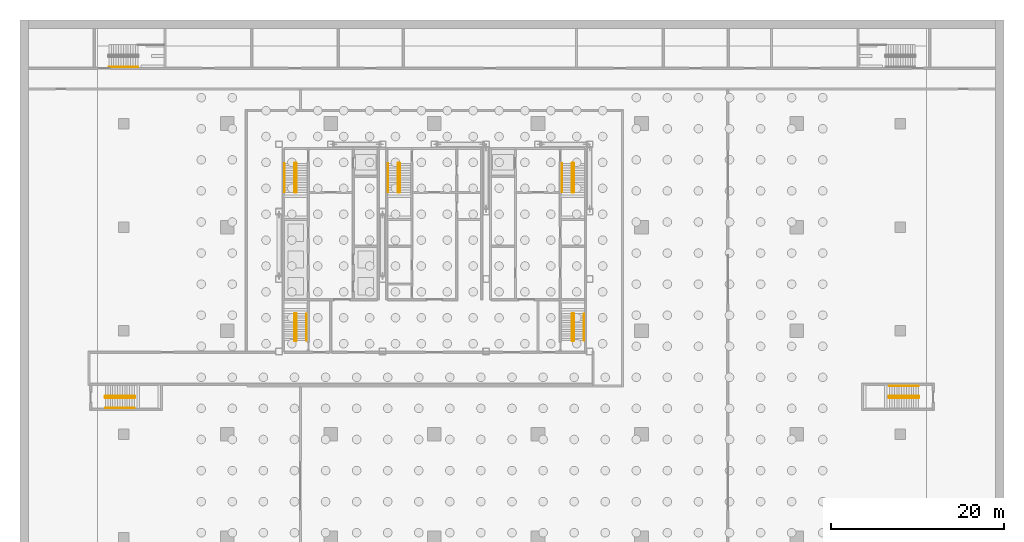
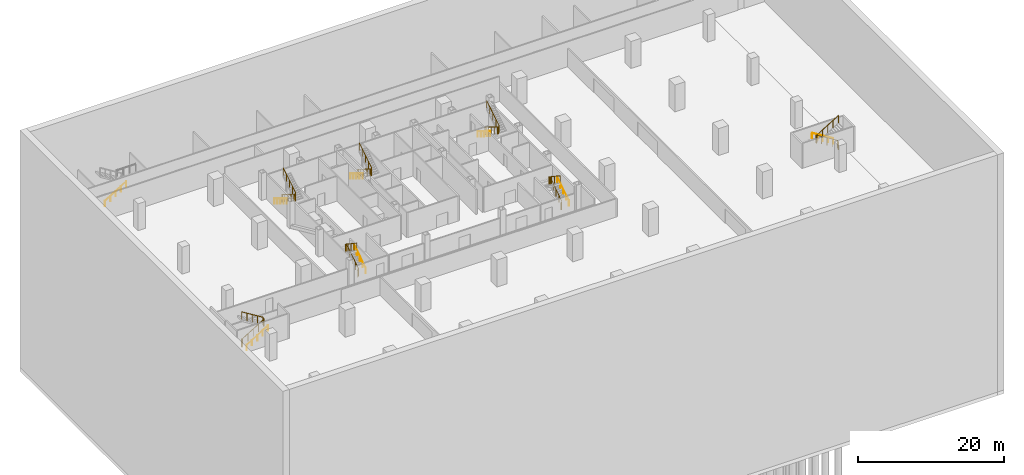
# One storey, part 16 of 18: 15 railings.
"""IFC4 building model written with IfcOpenShell, lengths in metres."""

from ifc_helpers import new_model, si_unit, direction, frame, origin, origin_2d, place, context, subcontext, project, spatial, circle, extrude, material, type_object, element, save


model = new_model("IFC4")

# Units and contexts
model_context = context("Model", 3, precision=1e-05, world=origin(), true_north=direction((0.0, 1.0)))
body_context = subcontext(model_context, "Body", "Model", "MODEL_VIEW")
ifc_project = project(units=[si_unit("LENGTHUNIT", "METRE"), si_unit("AREAUNIT", "SQUARE_METRE"), si_unit("VOLUMEUNIT", "CUBIC_METRE"), si_unit("PLANEANGLEUNIT", "RADIAN"), si_unit("MASSUNIT", "GRAM", prefix="KILO")], contexts=[model_context])

# Site, building, storey
site_placement = place(None, origin())
site = spatial("IfcSite", under=ifc_project, at=site_placement, CompositionType="ELEMENT")
building_placement = place(site_placement, origin())
building = spatial("IfcBuilding", under=site, at=building_placement, Name="Sorahane Residences", CompositionType="ELEMENT")
storey_placement = place(building_placement, frame((0.0, 0.0, -13.5)))
storey = spatial("IfcBuildingStorey", under=building, at=storey_placement, Name="B3", CompositionType="ELEMENT", Elevation=-13.5)

# Railings
ifc_material_1 = material(Name="Steel Q355B", Category="steel")
railing_type_1 = type_object("IfcRailingType", Name="Stair guard 1200 Steel Q355B", PredefinedType="GUARDRAIL", material=ifc_material_1)
railing_1_placement = place(storey_placement, frame((8.0, 43.449951171875, 0.0)))
element("IfcRailing", 1, at=railing_1_placement, inside=storey, type_object=railing_type_1, Name="B3 S1 stair guard 1", PredefinedType="GUARDRAIL", context=body_context, shape_type="SweptSolid", body=[
    extrude(circle(Radius=0.02392578125, at=origin_2d()), frame((0.0, 0.0, 1.17578125), z_axis=(-1.0, 0.0, 0.0), x_axis=(0.0, -1.0, 0.0)), (0.0, 0.0, 1.0), 0.14990234375),
    extrude(circle(Radius=0.02392578125, at=origin_2d()), frame((-0.14990234375, 0.0, 1.17578125), z_axis=(-0.267629722418, -0.267629722418, 0.925607186314), x_axis=(0.707106781187, -0.707106781187, 0.0)), (0.0, 0.0, 1.0), 0.18701171875),
    extrude(circle(Radius=0.02392578125, at=origin_2d()), frame((-0.199951171875, -0.050048828125, 1.34912109375), z_axis=(0.0, -0.850606129759, 0.525803396734), x_axis=(1.0, 0.0, 0.0)), (0.0, 0.0, 1.0), 3.949951171875),
    extrude(circle(Radius=0.02392578125, at=origin_2d()), frame((-0.199951171875, -3.409912109375, 3.42578125), z_axis=(0.707106781187, -0.707106781187, 0.0), x_axis=(0.707106781187, 0.707106781187, 0.0)), (0.0, 0.0, 1.0), 0.07080078125),
    extrude(circle(Radius=0.02392578125, at=origin_2d()), frame((-0.14990234375, -3.4599609375, 3.42578125), z_axis=(1.0, 0.0, 0.0), x_axis=(0.0, 1.0, 0.0)), (0.0, 0.0, 1.0), 0.14990234375),
    extrude(circle(Radius=0.02392578125, at=origin_2d()), frame((0.0, -3.4599609375, 3.42578125), z_axis=(0.267629722418, 0.267629722418, 0.925607186314), x_axis=(-0.707106781187, 0.707106781187, 0.0)), (0.0, 0.0, 1.0), 0.18701171875),
    extrude(circle(Radius=0.02392578125, at=origin_2d()), frame((0.050048828125, -3.409912109375, 3.59912109375), z_axis=(0.0, 0.850606129759, 0.525803396734), x_axis=(-1.0, 0.0, 0.0)), (0.0, 0.0, 1.0), 3.949951171875),
    extrude(circle(Radius=0.02099609375, at=origin_2d()), origin(), (0.0, 0.0, 1.0), 1.15185546875),
    extrude(circle(Radius=0.02099609375, at=origin_2d()), frame((-0.14990234375, 0.0, 0.0)), (0.0, 0.0, 1.0), 1.15185546875),
    extrude(circle(Radius=0.02099609375, at=origin_2d()), frame((-0.199951171875, -0.050048828125, 0.173095703125)), (0.0, 0.0, 1.0), 1.15185546875),
    extrude(circle(Radius=0.02099609375, at=origin_2d()), frame((-0.199951171875, -0.89013671875, 0.6923828125)), (0.0, 0.0, 1.0), 1.15185546875),
    extrude(circle(Radius=0.02099609375, at=origin_2d()), frame((-0.199951171875, -1.72998046875, 1.21142578125)), (0.0, 0.0, 1.0), 1.15185546875),
    extrude(circle(Radius=0.02099609375, at=origin_2d()), frame((-0.199951171875, -2.56982421875, 1.730712890625)), (0.0, 0.0, 1.0), 1.15185546875),
    extrude(circle(Radius=0.02099609375, at=origin_2d()), frame((-0.199951171875, -3.409912109375, 2.25)), (0.0, 0.0, 1.0), 1.15185546875),
    extrude(circle(Radius=0.02099609375, at=origin_2d()), frame((-0.14990234375, -3.4599609375, 2.25)), (0.0, 0.0, 1.0), 1.15185546875),
    extrude(circle(Radius=0.02099609375, at=origin_2d()), frame((0.0, -3.4599609375, 2.25)), (0.0, 0.0, 1.0), 1.15185546875),
    extrude(circle(Radius=0.02099609375, at=origin_2d()), frame((0.050048828125, -3.409912109375, 2.423095703125)), (0.0, 0.0, 1.0), 1.15185546875),
    extrude(circle(Radius=0.02099609375, at=origin_2d()), frame((0.050048828125, -2.56982421875, 2.9423828125)), (0.0, 0.0, 1.0), 1.15185546875),
    extrude(circle(Radius=0.02099609375, at=origin_2d()), frame((0.050048828125, -1.72998046875, 3.46142578125)), (0.0, 0.0, 1.0), 1.15185546875),
    extrude(circle(Radius=0.02099609375, at=origin_2d()), frame((0.050048828125, -0.89013671875, 3.980712890625)), (0.0, 0.0, 1.0), 1.15185546875),
    extrude(circle(Radius=0.02099609375, at=origin_2d()), frame((0.050048828125, -0.050048828125, 4.5)), (0.0, 0.0, 1.0), 1.15185546875),
])
railing_2_placement = place(storey_placement, frame((40.14990234375, 43.449951171875, 0.0)))
element("IfcRailing", 2, at=railing_2_placement, inside=storey, type_object=railing_type_1, Name="B3 S2 stair guard 1", PredefinedType="GUARDRAIL", context=body_context, shape_type="SweptSolid", body=[
    extrude(circle(Radius=0.02392578125, at=origin_2d()), frame((0.0, 0.0, 1.17578125), z_axis=(-1.0, 0.0, 0.0), x_axis=(0.0, -1.0, 0.0)), (0.0, 0.0, 1.0), 0.14990234375),
    extrude(circle(Radius=0.02392578125, at=origin_2d()), frame((-0.14990234375, 0.0, 1.17578125), z_axis=(-0.267629722418, -0.267629722418, 0.925607186314), x_axis=(0.707106781187, -0.707106781187, 0.0)), (0.0, 0.0, 1.0), 0.18701171875),
    extrude(circle(Radius=0.02392578125, at=origin_2d()), frame((-0.199951171875, -0.050048828125, 1.34912109375), z_axis=(0.0, -0.850606129759, 0.525803396734), x_axis=(1.0, 0.0, 0.0)), (0.0, 0.0, 1.0), 3.949951171875),
    extrude(circle(Radius=0.02392578125, at=origin_2d()), frame((-0.199951171875, -3.409912109375, 3.42578125), z_axis=(0.707106781187, -0.707106781187, 0.0), x_axis=(0.707106781187, 0.707106781187, 0.0)), (0.0, 0.0, 1.0), 0.07080078125),
    extrude(circle(Radius=0.02392578125, at=origin_2d()), frame((-0.14990234375, -3.4599609375, 3.42578125), z_axis=(1.0, 0.0, 0.0), x_axis=(0.0, 1.0, 0.0)), (0.0, 0.0, 1.0), 0.14990234375),
    extrude(circle(Radius=0.02392578125, at=origin_2d()), frame((0.0, -3.4599609375, 3.42578125), z_axis=(0.267629722418, 0.267629722418, 0.925607186314), x_axis=(-0.707106781187, 0.707106781187, 0.0)), (0.0, 0.0, 1.0), 0.18701171875),
    extrude(circle(Radius=0.02392578125, at=origin_2d()), frame((0.050048828125, -3.409912109375, 3.59912109375), z_axis=(0.0, 0.850606129759, 0.525803396734), x_axis=(-1.0, 0.0, 0.0)), (0.0, 0.0, 1.0), 3.949951171875),
    extrude(circle(Radius=0.02099609375, at=origin_2d()), origin(), (0.0, 0.0, 1.0), 1.15185546875),
    extrude(circle(Radius=0.02099609375, at=origin_2d()), frame((-0.14990234375, 0.0, 0.0)), (0.0, 0.0, 1.0), 1.15185546875),
    extrude(circle(Radius=0.02099609375, at=origin_2d()), frame((-0.199951171875, -0.050048828125, 0.173095703125)), (0.0, 0.0, 1.0), 1.15185546875),
    extrude(circle(Radius=0.02099609375, at=origin_2d()), frame((-0.199951171875, -0.89013671875, 0.6923828125)), (0.0, 0.0, 1.0), 1.15185546875),
    extrude(circle(Radius=0.02099609375, at=origin_2d()), frame((-0.199951171875, -1.72998046875, 1.21142578125)), (0.0, 0.0, 1.0), 1.15185546875),
    extrude(circle(Radius=0.02099609375, at=origin_2d()), frame((-0.199951171875, -2.56982421875, 1.730712890625)), (0.0, 0.0, 1.0), 1.15185546875),
    extrude(circle(Radius=0.02099609375, at=origin_2d()), frame((-0.199951171875, -3.409912109375, 2.25)), (0.0, 0.0, 1.0), 1.15185546875),
    extrude(circle(Radius=0.02099609375, at=origin_2d()), frame((-0.14990234375, -3.4599609375, 2.25)), (0.0, 0.0, 1.0), 1.15185546875),
    extrude(circle(Radius=0.02099609375, at=origin_2d()), frame((0.0, -3.4599609375, 2.25)), (0.0, 0.0, 1.0), 1.15185546875),
    extrude(circle(Radius=0.02099609375, at=origin_2d()), frame((0.050048828125, -3.409912109375, 2.423095703125)), (0.0, 0.0, 1.0), 1.15185546875),
    extrude(circle(Radius=0.02099609375, at=origin_2d()), frame((0.050048828125, -2.56982421875, 2.9423828125)), (0.0, 0.0, 1.0), 1.15185546875),
    extrude(circle(Radius=0.02099609375, at=origin_2d()), frame((0.050048828125, -1.72998046875, 3.46142578125)), (0.0, 0.0, 1.0), 1.15185546875),
    extrude(circle(Radius=0.02099609375, at=origin_2d()), frame((0.050048828125, -0.89013671875, 3.980712890625)), (0.0, 0.0, 1.0), 1.15185546875),
    extrude(circle(Radius=0.02099609375, at=origin_2d()), frame((0.050048828125, -0.050048828125, 4.5)), (0.0, 0.0, 1.0), 1.15185546875),
])
railing_3_placement = place(storey_placement, frame((20.0, 43.449951171875, 0.0)))
element("IfcRailing", 3, at=railing_3_placement, inside=storey, type_object=railing_type_1, Name="B3 S3 stair guard 1", PredefinedType="GUARDRAIL", context=body_context, shape_type="SweptSolid", body=[
    extrude(circle(Radius=0.02392578125, at=origin_2d()), frame((0.0, 0.0, 1.17578125), z_axis=(-1.0, 0.0, 0.0), x_axis=(0.0, -1.0, 0.0)), (0.0, 0.0, 1.0), 0.14990234375),
    extrude(circle(Radius=0.02392578125, at=origin_2d()), frame((-0.14990234375, 0.0, 1.17578125), z_axis=(-0.267629722418, -0.267629722418, 0.925607186314), x_axis=(0.707106781187, -0.707106781187, 0.0)), (0.0, 0.0, 1.0), 0.18701171875),
    extrude(circle(Radius=0.02392578125, at=origin_2d()), frame((-0.199951171875, -0.050048828125, 1.34912109375), z_axis=(0.0, -0.850606129759, 0.525803396734), x_axis=(1.0, 0.0, 0.0)), (0.0, 0.0, 1.0), 3.949951171875),
    extrude(circle(Radius=0.02392578125, at=origin_2d()), frame((-0.199951171875, -3.409912109375, 3.42578125), z_axis=(0.707106781187, -0.707106781187, 0.0), x_axis=(0.707106781187, 0.707106781187, 0.0)), (0.0, 0.0, 1.0), 0.07080078125),
    extrude(circle(Radius=0.02392578125, at=origin_2d()), frame((-0.14990234375, -3.4599609375, 3.42578125), z_axis=(1.0, 0.0, 0.0), x_axis=(0.0, 1.0, 0.0)), (0.0, 0.0, 1.0), 0.14990234375),
    extrude(circle(Radius=0.02392578125, at=origin_2d()), frame((0.0, -3.4599609375, 3.42578125), z_axis=(0.267629722418, 0.267629722418, 0.925607186314), x_axis=(-0.707106781187, 0.707106781187, 0.0)), (0.0, 0.0, 1.0), 0.18701171875),
    extrude(circle(Radius=0.02392578125, at=origin_2d()), frame((0.050048828125, -3.409912109375, 3.59912109375), z_axis=(0.0, 0.850606129759, 0.525803396734), x_axis=(-1.0, 0.0, 0.0)), (0.0, 0.0, 1.0), 3.949951171875),
    extrude(circle(Radius=0.02099609375, at=origin_2d()), origin(), (0.0, 0.0, 1.0), 1.15185546875),
    extrude(circle(Radius=0.02099609375, at=origin_2d()), frame((-0.14990234375, 0.0, 0.0)), (0.0, 0.0, 1.0), 1.15185546875),
    extrude(circle(Radius=0.02099609375, at=origin_2d()), frame((-0.199951171875, -0.050048828125, 0.173095703125)), (0.0, 0.0, 1.0), 1.15185546875),
    extrude(circle(Radius=0.02099609375, at=origin_2d()), frame((-0.199951171875, -0.89013671875, 0.6923828125)), (0.0, 0.0, 1.0), 1.15185546875),
    extrude(circle(Radius=0.02099609375, at=origin_2d()), frame((-0.199951171875, -1.72998046875, 1.21142578125)), (0.0, 0.0, 1.0), 1.15185546875),
    extrude(circle(Radius=0.02099609375, at=origin_2d()), frame((-0.199951171875, -2.56982421875, 1.730712890625)), (0.0, 0.0, 1.0), 1.15185546875),
    extrude(circle(Radius=0.02099609375, at=origin_2d()), frame((-0.199951171875, -3.409912109375, 2.25)), (0.0, 0.0, 1.0), 1.15185546875),
    extrude(circle(Radius=0.02099609375, at=origin_2d()), frame((-0.14990234375, -3.4599609375, 2.25)), (0.0, 0.0, 1.0), 1.15185546875),
    extrude(circle(Radius=0.02099609375, at=origin_2d()), frame((0.0, -3.4599609375, 2.25)), (0.0, 0.0, 1.0), 1.15185546875),
    extrude(circle(Radius=0.02099609375, at=origin_2d()), frame((0.050048828125, -3.409912109375, 2.423095703125)), (0.0, 0.0, 1.0), 1.15185546875),
    extrude(circle(Radius=0.02099609375, at=origin_2d()), frame((0.050048828125, -2.56982421875, 2.9423828125)), (0.0, 0.0, 1.0), 1.15185546875),
    extrude(circle(Radius=0.02099609375, at=origin_2d()), frame((0.050048828125, -1.72998046875, 3.46142578125)), (0.0, 0.0, 1.0), 1.15185546875),
    extrude(circle(Radius=0.02099609375, at=origin_2d()), frame((0.050048828125, -0.89013671875, 3.980712890625)), (0.0, 0.0, 1.0), 1.15185546875),
    extrude(circle(Radius=0.02099609375, at=origin_2d()), frame((0.050048828125, -0.050048828125, 4.5)), (0.0, 0.0, 1.0), 1.15185546875),
])
railing_4_placement = place(storey_placement, frame((7.85009765625, 22.800048828125, 0.0)))
element("IfcRailing", 4, at=railing_4_placement, inside=storey, type_object=railing_type_1, Name="B3 S4 stair guard 1", PredefinedType="GUARDRAIL", context=body_context, shape_type="SweptSolid", body=[
    extrude(circle(Radius=0.02392578125, at=origin_2d()), frame((0.0, 0.0, 1.17578125), z_axis=(1.0, 0.0, 0.0), x_axis=(0.0, 1.0, 0.0)), (0.0, 0.0, 1.0), 0.14990234375),
    extrude(circle(Radius=0.02392578125, at=origin_2d()), frame((0.14990234375, 0.0, 1.17578125), z_axis=(0.267629722418, 0.267629722418, 0.925607186314), x_axis=(-0.707106781187, 0.707106781187, 0.0)), (0.0, 0.0, 1.0), 0.18701171875),
    extrude(circle(Radius=0.02392578125, at=origin_2d()), frame((0.199951171875, 0.050048828125, 1.34912109375), z_axis=(0.0, 0.832420903958, 0.554143879018), x_axis=(-1.0, 0.0, 0.0)), (0.0, 0.0, 1.0), 3.748046875),
    extrude(circle(Radius=0.02392578125, at=origin_2d()), frame((0.199951171875, 3.169921875, 3.42578125), z_axis=(-0.707106781187, 0.707106781187, 0.0), x_axis=(-0.707106781187, -0.707106781187, 0.0)), (0.0, 0.0, 1.0), 0.07080078125),
    extrude(circle(Radius=0.02392578125, at=origin_2d()), frame((0.14990234375, 3.219970703125, 3.42578125), z_axis=(-1.0, 0.0, 0.0), x_axis=(0.0, -1.0, 0.0)), (0.0, 0.0, 1.0), 0.14990234375),
    extrude(circle(Radius=0.02392578125, at=origin_2d()), frame((0.0, 3.219970703125, 3.42578125), z_axis=(-0.267629722418, -0.267629722418, 0.925607186314), x_axis=(0.707106781187, -0.707106781187, 0.0)), (0.0, 0.0, 1.0), 0.18701171875),
    extrude(circle(Radius=0.02392578125, at=origin_2d()), frame((-0.050048828125, 3.169921875, 3.59912109375), z_axis=(0.0, -0.832420903958, 0.554143879018), x_axis=(1.0, 0.0, 0.0)), (0.0, 0.0, 1.0), 3.748046875),
    extrude(circle(Radius=0.02099609375, at=origin_2d()), origin(), (0.0, 0.0, 1.0), 1.15185546875),
    extrude(circle(Radius=0.02099609375, at=origin_2d()), frame((0.14990234375, 0.0, 0.0)), (0.0, 0.0, 1.0), 1.15185546875),
    extrude(circle(Radius=0.02099609375, at=origin_2d()), frame((0.199951171875, 0.050048828125, 0.173095703125)), (0.0, 0.0, 1.0), 1.15185546875),
    extrude(circle(Radius=0.02099609375, at=origin_2d()), frame((0.199951171875, 0.830078125, 0.6923828125)), (0.0, 0.0, 1.0), 1.15185546875),
    extrude(circle(Radius=0.02099609375, at=origin_2d()), frame((0.199951171875, 1.60986328125, 1.21142578125)), (0.0, 0.0, 1.0), 1.15185546875),
    extrude(circle(Radius=0.02099609375, at=origin_2d()), frame((0.199951171875, 2.389892578125, 1.730712890625)), (0.0, 0.0, 1.0), 1.15185546875),
    extrude(circle(Radius=0.02099609375, at=origin_2d()), frame((0.199951171875, 3.169921875, 2.25)), (0.0, 0.0, 1.0), 1.15185546875),
    extrude(circle(Radius=0.02099609375, at=origin_2d()), frame((0.14990234375, 3.219970703125, 2.25)), (0.0, 0.0, 1.0), 1.15185546875),
    extrude(circle(Radius=0.02099609375, at=origin_2d()), frame((0.0, 3.219970703125, 2.25)), (0.0, 0.0, 1.0), 1.15185546875),
    extrude(circle(Radius=0.02099609375, at=origin_2d()), frame((-0.050048828125, 3.169921875, 2.423095703125)), (0.0, 0.0, 1.0), 1.15185546875),
    extrude(circle(Radius=0.02099609375, at=origin_2d()), frame((-0.050048828125, 2.389892578125, 2.9423828125)), (0.0, 0.0, 1.0), 1.15185546875),
    extrude(circle(Radius=0.02099609375, at=origin_2d()), frame((-0.050048828125, 1.60986328125, 3.46142578125)), (0.0, 0.0, 1.0), 1.15185546875),
    extrude(circle(Radius=0.02099609375, at=origin_2d()), frame((-0.050048828125, 0.830078125, 3.980712890625)), (0.0, 0.0, 1.0), 1.15185546875),
    extrude(circle(Radius=0.02099609375, at=origin_2d()), frame((-0.050048828125, 0.050048828125, 4.5)), (0.0, 0.0, 1.0), 1.15185546875),
])
railing_5_placement = place(storey_placement, frame((40.0, 22.800048828125, 0.0)))
element("IfcRailing", 5, at=railing_5_placement, inside=storey, type_object=railing_type_1, Name="B3 S5 stair guard 1", PredefinedType="GUARDRAIL", context=body_context, shape_type="SweptSolid", body=[
    extrude(circle(Radius=0.02392578125, at=origin_2d()), frame((0.0, 0.0, 1.17578125), z_axis=(1.0, 0.0, 0.0), x_axis=(0.0, 1.0, 0.0)), (0.0, 0.0, 1.0), 0.14990234375),
    extrude(circle(Radius=0.02392578125, at=origin_2d()), frame((0.14990234375, 0.0, 1.17578125), z_axis=(0.267629722418, 0.267629722418, 0.925607186314), x_axis=(-0.707106781187, 0.707106781187, 0.0)), (0.0, 0.0, 1.0), 0.18701171875),
    extrude(circle(Radius=0.02392578125, at=origin_2d()), frame((0.199951171875, 0.050048828125, 1.34912109375), z_axis=(0.0, 0.832420903958, 0.554143879018), x_axis=(-1.0, 0.0, 0.0)), (0.0, 0.0, 1.0), 3.748046875),
    extrude(circle(Radius=0.02392578125, at=origin_2d()), frame((0.199951171875, 3.169921875, 3.42578125), z_axis=(-0.707106781187, 0.707106781187, 0.0), x_axis=(-0.707106781187, -0.707106781187, 0.0)), (0.0, 0.0, 1.0), 0.07080078125),
    extrude(circle(Radius=0.02392578125, at=origin_2d()), frame((0.14990234375, 3.219970703125, 3.42578125), z_axis=(-1.0, 0.0, 0.0), x_axis=(0.0, -1.0, 0.0)), (0.0, 0.0, 1.0), 0.14990234375),
    extrude(circle(Radius=0.02392578125, at=origin_2d()), frame((0.0, 3.219970703125, 3.42578125), z_axis=(-0.267629722418, -0.267629722418, 0.925607186314), x_axis=(0.707106781187, -0.707106781187, 0.0)), (0.0, 0.0, 1.0), 0.18701171875),
    extrude(circle(Radius=0.02392578125, at=origin_2d()), frame((-0.050048828125, 3.169921875, 3.59912109375), z_axis=(0.0, -0.832420903958, 0.554143879018), x_axis=(1.0, 0.0, 0.0)), (0.0, 0.0, 1.0), 3.748046875),
    extrude(circle(Radius=0.02099609375, at=origin_2d()), origin(), (0.0, 0.0, 1.0), 1.15185546875),
    extrude(circle(Radius=0.02099609375, at=origin_2d()), frame((0.14990234375, 0.0, 0.0)), (0.0, 0.0, 1.0), 1.15185546875),
    extrude(circle(Radius=0.02099609375, at=origin_2d()), frame((0.199951171875, 0.050048828125, 0.173095703125)), (0.0, 0.0, 1.0), 1.15185546875),
    extrude(circle(Radius=0.02099609375, at=origin_2d()), frame((0.199951171875, 0.830078125, 0.6923828125)), (0.0, 0.0, 1.0), 1.15185546875),
    extrude(circle(Radius=0.02099609375, at=origin_2d()), frame((0.199951171875, 1.60986328125, 1.21142578125)), (0.0, 0.0, 1.0), 1.15185546875),
    extrude(circle(Radius=0.02099609375, at=origin_2d()), frame((0.199951171875, 2.389892578125, 1.730712890625)), (0.0, 0.0, 1.0), 1.15185546875),
    extrude(circle(Radius=0.02099609375, at=origin_2d()), frame((0.199951171875, 3.169921875, 2.25)), (0.0, 0.0, 1.0), 1.15185546875),
    extrude(circle(Radius=0.02099609375, at=origin_2d()), frame((0.14990234375, 3.219970703125, 2.25)), (0.0, 0.0, 1.0), 1.15185546875),
    extrude(circle(Radius=0.02099609375, at=origin_2d()), frame((0.0, 3.219970703125, 2.25)), (0.0, 0.0, 1.0), 1.15185546875),
    extrude(circle(Radius=0.02099609375, at=origin_2d()), frame((-0.050048828125, 3.169921875, 2.423095703125)), (0.0, 0.0, 1.0), 1.15185546875),
    extrude(circle(Radius=0.02099609375, at=origin_2d()), frame((-0.050048828125, 2.389892578125, 2.9423828125)), (0.0, 0.0, 1.0), 1.15185546875),
    extrude(circle(Radius=0.02099609375, at=origin_2d()), frame((-0.050048828125, 1.60986328125, 3.46142578125)), (0.0, 0.0, 1.0), 1.15185546875),
    extrude(circle(Radius=0.02099609375, at=origin_2d()), frame((-0.050048828125, 0.830078125, 3.980712890625)), (0.0, 0.0, 1.0), 1.15185546875),
    extrude(circle(Radius=0.02099609375, at=origin_2d()), frame((-0.050048828125, 0.050048828125, 4.5)), (0.0, 0.0, 1.0), 1.15185546875),
])
railing_6_placement = place(storey_placement, frame((-14.14990234375, 16.39990234375, 0.0)))
element("IfcRailing", 6, at=railing_6_placement, inside=storey, type_object=railing_type_1, Name="B3 BS3 stair guard 1", PredefinedType="GUARDRAIL", context=body_context, shape_type="SweptSolid", body=[
    extrude(circle(Radius=0.02392578125, at=origin_2d()), frame((0.0, 0.0, 1.23583984375), z_axis=(0.0, -1.0, 0.0), x_axis=(1.0, 0.0, 0.0)), (0.0, 0.0, 1.0), 0.14990234375),
    extrude(circle(Radius=0.02392578125, at=origin_2d()), frame((0.0, -0.14990234375, 1.23583984375), z_axis=(0.266417085129, -0.267723051232, 0.925929967433), x_axis=(0.708833529934, 0.705375805398, 0.0)), (0.0, 0.0, 1.0), 0.18701171875),
    extrude(circle(Radius=0.02392578125, at=origin_2d()), frame((0.0498046875, -0.199951171875, 1.4091796875), z_axis=(0.850623216509, 0.0, 0.525775754039), x_axis=(0.0, 1.0, 0.0)), (0.0, 0.0, 1.0), 3.9501953125),
    extrude(circle(Radius=0.02392578125, at=origin_2d()), frame((3.409912109375, -0.199951171875, 3.48583984375), z_axis=(0.707106781187, 0.707106781187, 0.0), x_axis=(-0.707106781187, 0.707106781187, 0.0)), (0.0, 0.0, 1.0), 0.07080078125),
    extrude(circle(Radius=0.02392578125, at=origin_2d()), frame((3.4599609375, -0.14990234375, 3.48583984375), z_axis=(0.0, 1.0, 0.0), x_axis=(-1.0, 0.0, 0.0)), (0.0, 0.0, 1.0), 0.14990234375),
    extrude(circle(Radius=0.02392578125, at=origin_2d()), frame((3.4599609375, 0.0, 3.48583984375), z_axis=(-0.267629722418, 0.267629722418, 0.925607186314), x_axis=(-0.707106781187, -0.707106781187, 0.0)), (0.0, 0.0, 1.0), 0.18701171875),
    extrude(circle(Radius=0.02392578125, at=origin_2d()), frame((3.409912109375, 0.050048828125, 3.6591796875), z_axis=(-0.850623216509, 0.0, 0.525775754039), x_axis=(0.0, -1.0, 0.0)), (0.0, 0.0, 1.0), 3.9501953125),
    extrude(circle(Radius=0.02099609375, at=origin_2d()), origin(), (0.0, 0.0, 1.0), 1.2119140625),
    extrude(circle(Radius=0.02099609375, at=origin_2d()), frame((0.0, -0.14990234375, 0.0)), (0.0, 0.0, 1.0), 1.2119140625),
    extrude(circle(Radius=0.02099609375, at=origin_2d()), frame((0.0498046875, -0.199951171875, 0.173095703125)), (0.0, 0.0, 1.0), 1.2119140625),
    extrude(circle(Radius=0.02099609375, at=origin_2d()), frame((0.889892578125, -0.199951171875, 0.6923828125)), (0.0, 0.0, 1.0), 1.2119140625),
    extrude(circle(Radius=0.02099609375, at=origin_2d()), frame((1.72998046875, -0.199951171875, 1.21142578125)), (0.0, 0.0, 1.0), 1.2119140625),
    extrude(circle(Radius=0.02099609375, at=origin_2d()), frame((2.56982421875, -0.199951171875, 1.730712890625)), (0.0, 0.0, 1.0), 1.2119140625),
    extrude(circle(Radius=0.02099609375, at=origin_2d()), frame((3.409912109375, -0.199951171875, 2.25)), (0.0, 0.0, 1.0), 1.2119140625),
    extrude(circle(Radius=0.02099609375, at=origin_2d()), frame((3.4599609375, -0.14990234375, 2.25)), (0.0, 0.0, 1.0), 1.2119140625),
    extrude(circle(Radius=0.02099609375, at=origin_2d()), frame((3.4599609375, 0.0, 2.25)), (0.0, 0.0, 1.0), 1.2119140625),
    extrude(circle(Radius=0.02099609375, at=origin_2d()), frame((3.409912109375, 0.050048828125, 2.423095703125)), (0.0, 0.0, 1.0), 1.2119140625),
    extrude(circle(Radius=0.02099609375, at=origin_2d()), frame((2.56982421875, 0.050048828125, 2.9423828125)), (0.0, 0.0, 1.0), 1.2119140625),
    extrude(circle(Radius=0.02099609375, at=origin_2d()), frame((1.72998046875, 0.050048828125, 3.46142578125)), (0.0, 0.0, 1.0), 1.2119140625),
    extrude(circle(Radius=0.02099609375, at=origin_2d()), frame((0.889892578125, 0.050048828125, 3.980712890625)), (0.0, 0.0, 1.0), 1.2119140625),
    extrude(circle(Radius=0.02099609375, at=origin_2d()), frame((0.0498046875, 0.050048828125, 4.5)), (0.0, 0.0, 1.0), 1.2119140625),
])
railing_7_placement = place(storey_placement, frame((80.14990234375, 16.25, 0.0)))
element("IfcRailing", 7, at=railing_7_placement, inside=storey, type_object=railing_type_1, Name="B3 BS4 stair guard 1", PredefinedType="GUARDRAIL", context=body_context, shape_type="SweptSolid", body=[
    extrude(circle(Radius=0.02392578125, at=origin_2d()), frame((0.0, 0.0, 1.23583984375), z_axis=(0.0, 1.0, 0.0), x_axis=(-1.0, 0.0, 0.0)), (0.0, 0.0, 1.0), 0.14990234375),
    extrude(circle(Radius=0.02392578125, at=origin_2d()), frame((0.0, 0.14990234375, 1.23583984375), z_axis=(-0.266417085129, 0.267723051232, 0.925929967433), x_axis=(-0.708833529934, -0.705375805398, 0.0)), (0.0, 0.0, 1.0), 0.18701171875),
    extrude(circle(Radius=0.02392578125, at=origin_2d()), frame((-0.0498046875, 0.199951171875, 1.4091796875), z_axis=(-0.850623216509, 0.0, 0.525775754039), x_axis=(0.0, -1.0, 0.0)), (0.0, 0.0, 1.0), 3.9501953125),
    extrude(circle(Radius=0.02392578125, at=origin_2d()), frame((-3.409912109375, 0.199951171875, 3.48583984375), z_axis=(-0.707106781187, -0.707106781187, 0.0), x_axis=(0.707106781187, -0.707106781187, 0.0)), (0.0, 0.0, 1.0), 0.07080078125),
    extrude(circle(Radius=0.02392578125, at=origin_2d()), frame((-3.4599609375, 0.14990234375, 3.48583984375), z_axis=(0.0, -1.0, 0.0), x_axis=(1.0, 0.0, 0.0)), (0.0, 0.0, 1.0), 0.14990234375),
    extrude(circle(Radius=0.02392578125, at=origin_2d()), frame((-3.4599609375, 0.0, 3.48583984375), z_axis=(0.267629722418, -0.267629722418, 0.925607186314), x_axis=(0.707106781187, 0.707106781187, 0.0)), (0.0, 0.0, 1.0), 0.18701171875),
    extrude(circle(Radius=0.02392578125, at=origin_2d()), frame((-3.409912109375, -0.050048828125, 3.6591796875), z_axis=(0.850623216509, 0.0, 0.525775754039), x_axis=(0.0, 1.0, 0.0)), (0.0, 0.0, 1.0), 3.9501953125),
    extrude(circle(Radius=0.02099609375, at=origin_2d()), origin(), (0.0, 0.0, 1.0), 1.2119140625),
    extrude(circle(Radius=0.02099609375, at=origin_2d()), frame((0.0, 0.14990234375, 0.0)), (0.0, 0.0, 1.0), 1.2119140625),
    extrude(circle(Radius=0.02099609375, at=origin_2d()), frame((-0.0498046875, 0.199951171875, 0.173095703125)), (0.0, 0.0, 1.0), 1.2119140625),
    extrude(circle(Radius=0.02099609375, at=origin_2d()), frame((-0.889892578125, 0.199951171875, 0.6923828125)), (0.0, 0.0, 1.0), 1.2119140625),
    extrude(circle(Radius=0.02099609375, at=origin_2d()), frame((-1.72998046875, 0.199951171875, 1.21142578125)), (0.0, 0.0, 1.0), 1.2119140625),
    extrude(circle(Radius=0.02099609375, at=origin_2d()), frame((-2.56982421875, 0.199951171875, 1.730712890625)), (0.0, 0.0, 1.0), 1.2119140625),
    extrude(circle(Radius=0.02099609375, at=origin_2d()), frame((-3.409912109375, 0.199951171875, 2.25)), (0.0, 0.0, 1.0), 1.2119140625),
    extrude(circle(Radius=0.02099609375, at=origin_2d()), frame((-3.4599609375, 0.14990234375, 2.25)), (0.0, 0.0, 1.0), 1.2119140625),
    extrude(circle(Radius=0.02099609375, at=origin_2d()), frame((-3.4599609375, 0.0, 2.25)), (0.0, 0.0, 1.0), 1.2119140625),
    extrude(circle(Radius=0.02099609375, at=origin_2d()), frame((-3.409912109375, -0.050048828125, 2.423095703125)), (0.0, 0.0, 1.0), 1.2119140625),
    extrude(circle(Radius=0.02099609375, at=origin_2d()), frame((-2.56982421875, -0.050048828125, 2.9423828125)), (0.0, 0.0, 1.0), 1.2119140625),
    extrude(circle(Radius=0.02099609375, at=origin_2d()), frame((-1.72998046875, -0.050048828125, 3.46142578125)), (0.0, 0.0, 1.0), 1.2119140625),
    extrude(circle(Radius=0.02099609375, at=origin_2d()), frame((-0.889892578125, -0.050048828125, 3.980712890625)), (0.0, 0.0, 1.0), 1.2119140625),
    extrude(circle(Radius=0.02099609375, at=origin_2d()), frame((-0.0498046875, -0.050048828125, 4.5)), (0.0, 0.0, 1.0), 1.2119140625),
])
ifc_material_2 = material(Name="Steel Q355B", Category="steel")
railing_type_2 = type_object("IfcRailingType", Name="Stair handrail 900 Steel Q355B", PredefinedType="HANDRAIL", material=ifc_material_2)
for number, where, name in (
    (8, (6.64990234375, 43.39990234375, 0.173095703125), "B3 S1 stair handrail 1"),
    (9, (38.800048828125, 43.39990234375, 0.173095703125), "B3 S2 stair handrail 1"),
    (10, (18.64990234375, 43.39990234375, 0.173095703125), "B3 S3 stair handrail 1"),
):
    element("IfcRailing", number, at=place(storey_placement, frame(where)), inside=storey, type_object=railing_type_2, Name=name, PredefinedType="HANDRAIL", context=body_context, shape_type="SweptSolid", body=[
        extrude(circle(Radius=0.02392578125, at=origin_2d()), frame((0.0, 0.0, 0.8759765625), z_axis=(0.0, -0.850606129759, 0.525803396734), x_axis=(1.0, 0.0, 0.0)), (0.0, 0.0, 1.0), 3.949951171875),
        extrude(circle(Radius=0.02099609375, at=origin_2d()), origin(), (0.0, 0.0, 1.0), 0.851806640625),
        extrude(circle(Radius=0.02099609375, at=origin_2d()), frame((0.0, -0.83984375, 0.519287109375)), (0.0, 0.0, 1.0), 0.851806640625),
        extrude(circle(Radius=0.02099609375, at=origin_2d()), frame((0.0, -1.679931640625, 1.03857421875)), (0.0, 0.0, 1.0), 0.851806640625),
        extrude(circle(Radius=0.02099609375, at=origin_2d()), frame((0.0, -2.52001953125, 1.5576171875)), (0.0, 0.0, 1.0), 0.851806640625),
        extrude(circle(Radius=0.02099609375, at=origin_2d()), frame((0.0, -3.35986328125, 2.076904296875)), (0.0, 0.0, 1.0), 0.851806640625),
    ])
for number, where, name in (
    (11, (9.199951171875, 22.85009765625, 0.173095703125), "B3 S4 stair handrail 1"),
    (12, (41.35009765625, 22.85009765625, 0.173095703125), "B3 S5 stair handrail 1"),
):
    element("IfcRailing", number, at=place(storey_placement, frame(where)), inside=storey, type_object=railing_type_2, Name=name, PredefinedType="HANDRAIL", context=body_context, shape_type="SweptSolid", body=[
        extrude(circle(Radius=0.02392578125, at=origin_2d()), frame((0.0, 0.0, 0.8759765625), z_axis=(0.0, 0.832420903958, 0.554143879018), x_axis=(-1.0, 0.0, 0.0)), (0.0, 0.0, 1.0), 3.748046875),
        extrude(circle(Radius=0.02099609375, at=origin_2d()), origin(), (0.0, 0.0, 1.0), 0.851806640625),
        extrude(circle(Radius=0.02099609375, at=origin_2d()), frame((0.0, 0.780029296875, 0.519287109375)), (0.0, 0.0, 1.0), 0.851806640625),
        extrude(circle(Radius=0.02099609375, at=origin_2d()), frame((0.0, 1.56005859375, 1.03857421875)), (0.0, 0.0, 1.0), 0.851806640625),
        extrude(circle(Radius=0.02099609375, at=origin_2d()), frame((0.0, 2.33984375, 1.5576171875)), (0.0, 0.0, 1.0), 0.851806640625),
        extrude(circle(Radius=0.02099609375, at=origin_2d()), frame((0.0, 3.119873046875, 2.076904296875)), (0.0, 0.0, 1.0), 0.851806640625),
    ])
railing_8_placement = place(storey_placement, frame((-13.699951171875, 54.550048828125, 0.173095703125)))
element("IfcRailing", 13, at=railing_8_placement, inside=storey, type_object=railing_type_2, Name="B3 BS1 stair handrail 1", PredefinedType="HANDRAIL", context=body_context, shape_type="SweptSolid", body=[
    extrude(circle(Radius=0.02392578125, at=origin_2d()), frame((0.0, 0.0, 0.8759765625), z_axis=(0.850606129759, 0.0, 0.525803396734), x_axis=(0.0, 1.0, 0.0)), (0.0, 0.0, 1.0), 3.949951171875),
    extrude(circle(Radius=0.02099609375, at=origin_2d()), origin(), (0.0, 0.0, 1.0), 0.851806640625),
    extrude(circle(Radius=0.02099609375, at=origin_2d()), frame((0.83984375, 0.0, 0.519287109375)), (0.0, 0.0, 1.0), 0.851806640625),
    extrude(circle(Radius=0.02099609375, at=origin_2d()), frame((1.679931640625, 0.0, 1.03857421875)), (0.0, 0.0, 1.0), 0.851806640625),
    extrude(circle(Radius=0.02099609375, at=origin_2d()), frame((2.52001953125, 0.0, 1.5576171875)), (0.0, 0.0, 1.0), 0.851806640625),
    extrude(circle(Radius=0.02099609375, at=origin_2d()), frame((3.35986328125, 0.0, 2.076904296875)), (0.0, 0.0, 1.0), 0.851806640625),
])
railing_9_placement = place(storey_placement, frame((-14.10009765625, 15.050048828125, 0.173095703125)))
element("IfcRailing", 14, at=railing_9_placement, inside=storey, type_object=railing_type_2, Name="B3 BS3 stair handrail 1", PredefinedType="HANDRAIL", context=body_context, shape_type="SweptSolid", body=[
    extrude(circle(Radius=0.02392578125, at=origin_2d()), frame((0.0, 0.0, 0.8759765625), z_axis=(0.850623216509, 0.0, 0.525775754039), x_axis=(0.0, 1.0, 0.0)), (0.0, 0.0, 1.0), 3.9501953125),
    extrude(circle(Radius=0.02099609375, at=origin_2d()), origin(), (0.0, 0.0, 1.0), 0.851806640625),
    extrude(circle(Radius=0.02099609375, at=origin_2d()), frame((0.840087890625, 0.0, 0.519287109375)), (0.0, 0.0, 1.0), 0.851806640625),
    extrude(circle(Radius=0.02099609375, at=origin_2d()), frame((1.68017578125, 0.0, 1.03857421875)), (0.0, 0.0, 1.0), 0.851806640625),
    extrude(circle(Radius=0.02099609375, at=origin_2d()), frame((2.52001953125, 0.0, 1.5576171875)), (0.0, 0.0, 1.0), 0.851806640625),
    extrude(circle(Radius=0.02099609375, at=origin_2d()), frame((3.360107421875, 0.0, 2.076904296875)), (0.0, 0.0, 1.0), 0.851806640625),
])
railing_10_placement = place(storey_placement, frame((80.10009765625, 17.60009765625, 0.173095703125)))
element("IfcRailing", 15, at=railing_10_placement, inside=storey, type_object=railing_type_2, Name="B3 BS4 stair handrail 1", PredefinedType="HANDRAIL", context=body_context, shape_type="SweptSolid", body=[
    extrude(circle(Radius=0.02392578125, at=origin_2d()), frame((0.0, 0.0, 0.8759765625), z_axis=(-0.850623216509, 0.0, 0.525775754039), x_axis=(0.0, -1.0, 0.0)), (0.0, 0.0, 1.0), 3.9501953125),
    extrude(circle(Radius=0.02099609375, at=origin_2d()), origin(), (0.0, 0.0, 1.0), 0.851806640625),
    extrude(circle(Radius=0.02099609375, at=origin_2d()), frame((-0.840087890625, 0.0, 0.519287109375)), (0.0, 0.0, 1.0), 0.851806640625),
    extrude(circle(Radius=0.02099609375, at=origin_2d()), frame((-1.68017578125, 0.0, 1.03857421875)), (0.0, 0.0, 1.0), 0.851806640625),
    extrude(circle(Radius=0.02099609375, at=origin_2d()), frame((-2.52001953125, 0.0, 1.5576171875)), (0.0, 0.0, 1.0), 0.851806640625),
    extrude(circle(Radius=0.02099609375, at=origin_2d()), frame((-3.360107421875, 0.0, 2.076904296875)), (0.0, 0.0, 1.0), 0.851806640625),
])

save(model, "model.ifc")
